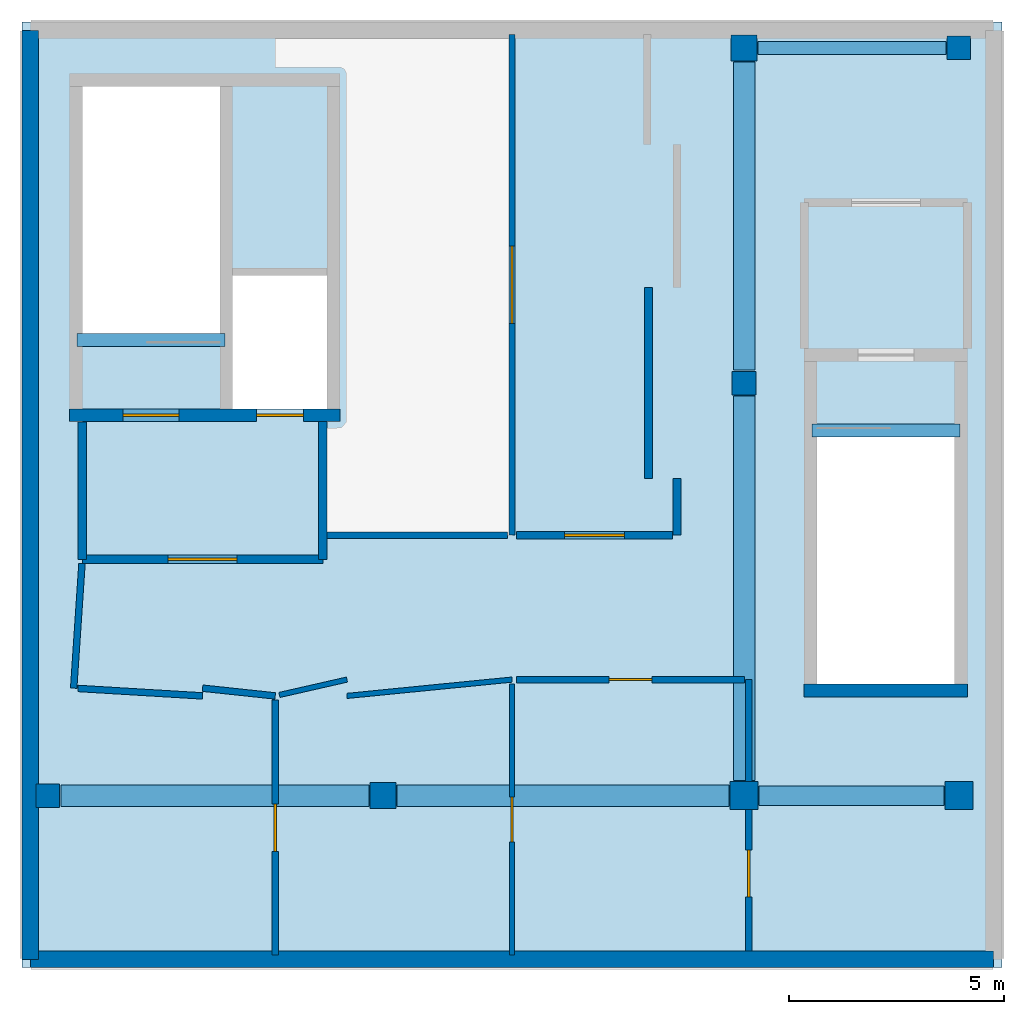
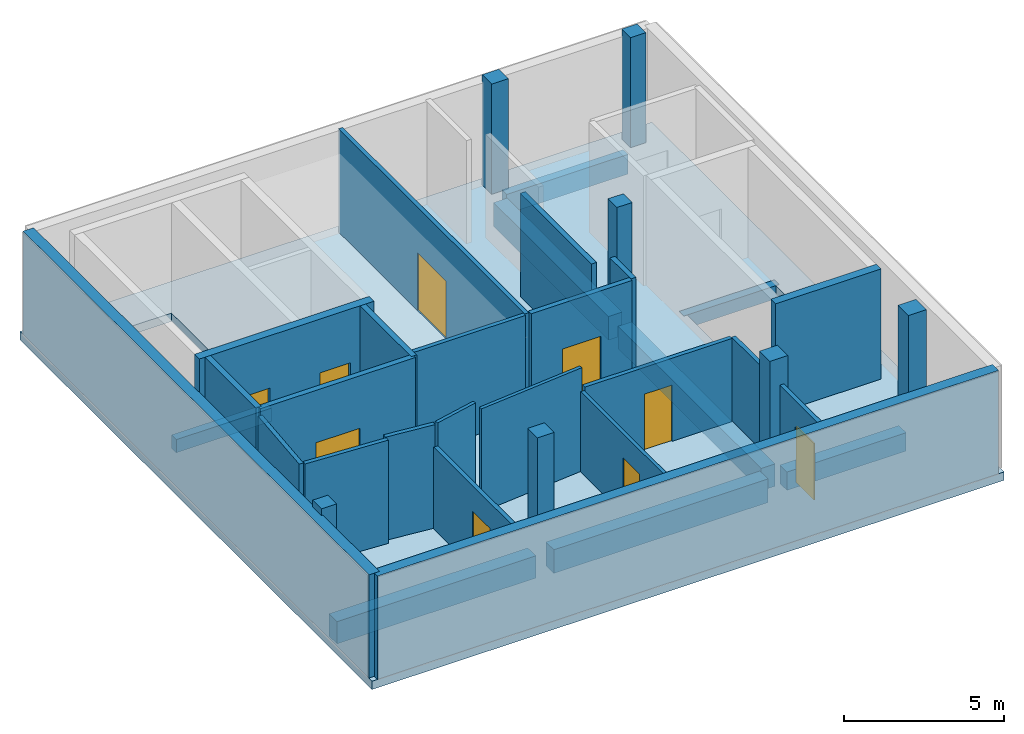
# One storey, part 1 of 3: 21 walls, 9 doors, 8 beams, 7 columns, 1 slab, 9 openings.
"""IFC4 building model written with IfcOpenShell, lengths in metres."""

from ifc_helpers import new_model, si_unit, direction, frame, frame_2d, origin, origin_2d, place, context, subcontext, project, spatial, polyline, rectangle, outline, extrude, material, layer, layer_set, material_profile, profile_set, type_object, element, fill, save


model = new_model("IFC4")

# Units and contexts
model_context = context("Model", 3, precision=1e-05, world=origin(), true_north=direction((0.0, 1.0)))
body_context = subcontext(model_context, "Body", "Model", "MODEL_VIEW")
ifc_project = project(units=[si_unit("LENGTHUNIT", "METRE"), si_unit("AREAUNIT", "SQUARE_METRE"), si_unit("VOLUMEUNIT", "CUBIC_METRE"), si_unit("PLANEANGLEUNIT", "RADIAN"), si_unit("MASSUNIT", "GRAM", prefix="KILO")], contexts=[model_context])

# Site, building, storey
site_placement = place(None, origin())
site = spatial("IfcSite", under=ifc_project, at=site_placement, CompositionType="ELEMENT")
building_placement = place(site_placement, origin())
building = spatial("IfcBuilding", under=site, at=building_placement, Name="Mzevani Central Library", CompositionType="ELEMENT")
storey_placement = place(building_placement, frame((0.0, 0.0, 22.5)))
storey = spatial("IfcBuildingStorey", under=building, at=storey_placement, Name="L05", CompositionType="ELEMENT", Elevation=22.5)

# Columns
ifc_material_1 = material(Name="Concrete C40/50", Category="concrete")
ifc_material_profile_1 = material_profile(ifc_material_1, rectangle(XDim=0.550048828125, YDim=0.550048828125, at=origin_2d()), Name="RC 550x550")
ifc_profile_set_1 = profile_set([ifc_material_profile_1], Name="Concrete C40/50")
column_type_1 = type_object("IfcColumnType", Name="Column RC 550x550", PredefinedType="COLUMN", material=ifc_profile_set_1)
for number, where, z_axis, x_axis, name in (
    (1, (13.0, 100.0, 0.0), (0.0, 0.0, 1.0), (1.0, 0.0, 0.0), "L05 V2 Column C-05 (72)"),
    (2, (29.199951171875, 109.60009765625, 0.0), (0.0, 0.0, 1.0), (1.0, 0.0, 0.0), "L05 V2 Column C-05 (81)"),
    (3, (34.199951171875, 117.39990234375, 0.0), (0.0, 0.0, 1.0), (1.0, 0.0, 0.0), "L05 V2 Column C-05 (87)"),
):
    element("IfcColumn", number, at=place(storey_placement, frame(where, z_axis=z_axis, x_axis=x_axis)), inside=storey, type_object=column_type_1, Name=name, PredefinedType="COLUMN", context=body_context, shape_type="SweptSolid", body=[
        extrude(rectangle(XDim=0.550048828125, YDim=0.550048828125, at=origin_2d()), origin(), (0.0, 0.0, 1.0), 4.199951171875),
    ])
ifc_material_profile_2 = material_profile(ifc_material_1, rectangle(XDim=0.60009765625, YDim=0.60009765625, at=origin_2d()), Name="RC 600x600")
ifc_profile_set_2 = profile_set([ifc_material_profile_2], Name="Concrete C40/50")
column_type_2 = type_object("IfcColumnType", Name="Column RC 600x600", PredefinedType="COLUMN", material=ifc_profile_set_2)
for number, where, z_axis, x_axis, name in (
    (4, (20.800048828125, 100.0, 0.0), (0.0, 0.0, 1.0), (1.0, 0.0, 0.0), "L05 V2 Column C-06 (76)"),
    (5, (29.199951171875, 117.39990234375, 0.0), (0.0, 0.0, 1.0), (1.0, 0.0, 0.0), "L05 V2 Column C-06 (82)"),
):
    element("IfcColumn", number, at=place(storey_placement, frame(where, z_axis=z_axis, x_axis=x_axis)), inside=storey, type_object=column_type_2, Name=name, PredefinedType="COLUMN", context=body_context, shape_type="SweptSolid", body=[
        extrude(rectangle(XDim=0.60009765625, YDim=0.60009765625, at=origin_2d()), origin(), (0.0, 0.0, 1.0), 4.199951171875),
    ])
ifc_material_profile_3 = material_profile(ifc_material_1, rectangle(XDim=0.64990234375, YDim=0.64990234375, at=origin_2d()), Name="RC 650x650")
ifc_profile_set_3 = profile_set([ifc_material_profile_3], Name="Concrete C40/50")
column_type_3 = type_object("IfcColumnType", Name="Column RC 650x650", PredefinedType="COLUMN", material=ifc_profile_set_3)
for number, where, z_axis, x_axis, name in (
    (6, (29.199951171875, 100.0, 0.0), (0.0, 0.0, 1.0), (1.0, 0.0, 0.0), "L05 V2 Column C-07 (80)"),
    (7, (34.199951171875, 100.0, 0.0), (0.0, 0.0, 1.0), (1.0, 0.0, 0.0), "L05 V2 Column C-07 (86)"),
):
    element("IfcColumn", number, at=place(storey_placement, frame(where, z_axis=z_axis, x_axis=x_axis)), inside=storey, type_object=column_type_3, Name=name, PredefinedType="COLUMN", context=body_context, shape_type="SweptSolid", body=[
        extrude(rectangle(XDim=0.64990234375, YDim=0.64990234375, at=origin_2d()), origin(), (0.0, 0.0, 1.0), 4.199951171875),
    ])

# Beams
ifc_material_2 = material(Name="Concrete C35/45", Category="concrete")
ifc_material_profile_4 = material_profile(ifc_material_2, rectangle(XDim=0.300048828125, YDim=0.5, at=origin_2d()), Name="RC B300x500")
ifc_profile_set_4 = profile_set([ifc_material_profile_4], Name="Concrete C35/45")
beam_type_1 = type_object("IfcBeamType", Name="Beam RC 300x500", PredefinedType="BEAM", material=ifc_profile_set_4)
beam_1_placement = place(storey_placement, frame((13.679931640625, 110.60009765625, -0.25), z_axis=(1.0, 0.0, 0.0), x_axis=(0.0, 1.0, 0.0)))
element("IfcBeam", 8, at=beam_1_placement, inside=storey, type_object=beam_type_1, Name="L05 Core C2A North-West Firefighting Core Stair Opening Trimmer Beam", PredefinedType="BEAM", context=body_context, shape_type="SweptSolid", body=[
    extrude(rectangle(XDim=0.300048828125, YDim=0.5, at=origin_2d()), origin(), (0.0, 0.0, 1.0), 3.440185546875),
])
beam_2_placement = place(storey_placement, frame((30.780029296875, 108.5, -0.25), z_axis=(1.0, 0.0, 0.0), x_axis=(0.0, 1.0, 0.0)))
element("IfcBeam", 9, at=beam_2_placement, inside=storey, type_object=beam_type_1, Name="L05 Core C2B Stacks East Escape Stair Stair Opening Trimmer Beam", PredefinedType="BEAM", context=body_context, shape_type="SweptSolid", body=[
    extrude(rectangle(XDim=0.300048828125, YDim=0.5, at=origin_2d()), origin(), (0.0, 0.0, 1.0), 3.43994140625),
])
ifc_material_3 = material(Name="Precast concrete C40/50", Category="concrete")
ifc_material_profile_5 = material_profile(ifc_material_3, rectangle(XDim=0.300048828125, YDim=0.75, at=origin_2d()), Name="RC SP300x750")
ifc_profile_set_5 = profile_set([ifc_material_profile_5], Name="Precast concrete C40/50")
beam_type_2 = type_object("IfcBeamType", Name="Edge Spandrel Beam RC 300x750", PredefinedType="SPANDREL", material=ifc_profile_set_5)
beam_3_placement = place(storey_placement, frame((29.52490234375, 117.39990234375, -0.695068359375), z_axis=(1.0, 0.0, 0.0), x_axis=(0.0, 1.0, 0.0)))
element("IfcBeam", 10, at=beam_3_placement, inside=storey, type_object=beam_type_2, Name="L05 V2 Girder SP-01 (414)", PredefinedType="SPANDREL", context=body_context, shape_type="SweptSolid", body=[
    extrude(rectangle(XDim=0.300048828125, YDim=0.75, at=origin_2d()), origin(), (0.0, 0.0, 1.0), 4.375),
])
ifc_material_profile_6 = material_profile(ifc_material_1, rectangle(XDim=0.449951171875, YDim=0.699951171875, at=origin_2d()), Name="RC B450x700")
ifc_profile_set_6 = profile_set([ifc_material_profile_6], Name="Concrete C40/50")
beam_type_3 = type_object("IfcBeamType", Name="Stack Girder RC 450x700", PredefinedType="BEAM", material=ifc_profile_set_6)
beam_4_placement = place(storey_placement, frame((29.550048828125, 100.0, -0.669921875), z_axis=(1.0, 0.0, 0.0), x_axis=(0.0, 1.0, 0.0)))
element("IfcBeam", 11, at=beam_4_placement, inside=storey, type_object=beam_type_3, Name="L05 V2 Girder BG-01 (413)", PredefinedType="BEAM", context=body_context, shape_type="SweptSolid", body=[
    extrude(rectangle(XDim=0.449951171875, YDim=0.699951171875, at=origin_2d()), origin(), (0.0, 0.0, 1.0), 4.300048828125),
])
ifc_material_profile_7 = material_profile(ifc_material_1, rectangle(XDim=0.5, YDim=0.85009765625, at=origin_2d()), Name="RC B500x850")
ifc_profile_set_7 = profile_set([ifc_material_profile_7], Name="Concrete C40/50")
beam_type_4 = type_object("IfcBeamType", Name="Stack Girder RC 500x850", PredefinedType="BEAM", material=ifc_profile_set_7)
beam_5_placement = place(storey_placement, frame((13.300048828125, 100.0, -0.7451171875), z_axis=(1.0, 0.0, 0.0), x_axis=(0.0, 1.0, 0.0)))
element("IfcBeam", 12, at=beam_5_placement, inside=storey, type_object=beam_type_4, Name="L05 V2 Girder BG-06 (411)", PredefinedType="BEAM", context=body_context, shape_type="SweptSolid", body=[
    extrude(rectangle(XDim=0.5, YDim=0.85009765625, at=origin_2d()), origin(), (0.0, 0.0, 1.0), 7.175048828125),
])
beam_6_placement = place(storey_placement, frame((29.199951171875, 100.35009765625, -0.7451171875), z_axis=(0.0, 1.0, 0.0), x_axis=(-1.0, 0.0, 0.0)))
element("IfcBeam", 13, at=beam_6_placement, inside=storey, type_object=beam_type_4, Name="L05 V2 Frame Beam BG-06 (418)", PredefinedType="BEAM", context=body_context, shape_type="SweptSolid", body=[
    extrude(rectangle(XDim=0.5, YDim=0.85009765625, at=origin_2d()), origin(), (0.0, 0.0, 1.0), 8.949951171875),
])
ifc_material_profile_8 = material_profile(ifc_material_1, rectangle(XDim=0.5, YDim=0.89990234375, at=origin_2d()), Name="RC B500x900")
ifc_profile_set_8 = profile_set([ifc_material_profile_8], Name="Concrete C40/50")
beam_type_5 = type_object("IfcBeamType", Name="Stack Girder RC 500x900", PredefinedType="BEAM", material=ifc_profile_set_8)
beam_7_placement = place(storey_placement, frame((21.125, 100.0, -0.77001953125), z_axis=(1.0, 0.0, 0.0), x_axis=(0.0, 1.0, 0.0)))
element("IfcBeam", 14, at=beam_7_placement, inside=storey, type_object=beam_type_5, Name="L05 V2 Girder BG-07 (412)", PredefinedType="BEAM", context=body_context, shape_type="SweptSolid", body=[
    extrude(rectangle(XDim=0.5, YDim=0.89990234375, at=origin_2d()), origin(), (0.0, 0.0, 1.0), 7.72509765625),
])
beam_8_placement = place(storey_placement, frame((29.199951171875, 109.89990234375, -0.77001953125), z_axis=(0.0, 1.0, 0.0), x_axis=(-1.0, 0.0, 0.0)))
element("IfcBeam", 15, at=beam_8_placement, inside=storey, type_object=beam_type_5, Name="L05 V2 Frame Beam BG-07 (419)", PredefinedType="BEAM", context=body_context, shape_type="SweptSolid", body=[
    extrude(rectangle(XDim=0.5, YDim=0.89990234375, at=origin_2d()), origin(), (0.0, 0.0, 1.0), 7.175048828125),
])

# Slab
ifc_layer_1 = layer(ifc_material_1, 0.320068359375, Name="Compact Stack Floor Slab 320")
ifc_layer_set_1 = layer_set([ifc_layer_1], Name="Concrete C40/50")
slab_type = type_object("IfcSlabType", Name="Compact Stack Floor Slab 320", PredefinedType="FLOOR", material=ifc_layer_set_1)
slab_placement = place(storey_placement, frame((0.0, 0.0, -0.320068359375)))
element("IfcSlab", 16, at=slab_placement, inside=storey, type_object=slab_type, Name="L05 V2 Structural Slab FS-04", PredefinedType="FLOOR", context=body_context, shape_type="SweptSolid", body=[
    extrude(outline(polyline([(35.199951171875, 96.0), (12.39990234375, 96.0), (12.39990234375, 118.0), (35.199951171875, 118.0), (35.199951171875, 96.0)]), holes=[polyline([(17.0, 110.60009765625), (17.0, 116.5), (13.800048828125, 116.5), (13.800048828125, 110.60009765625), (17.0, 110.60009765625)]), polyline([(17.300048828125, 109.0), (19.5, 109.0), (19.5, 112.10009765625), (17.300048828125, 112.10009765625), (17.300048828125, 109.0)]), polyline([(30.89990234375, 108.5), (30.89990234375, 102.60009765625), (34.10009765625, 102.60009765625), (34.10009765625, 108.5), (30.89990234375, 108.5)])]), origin(), (0.0, 0.0, 1.0), 0.320068359375),
])

# Wall
ifc_layer_2 = layer(ifc_material_2, 0.199951171875, Name="Compartment Wall 200")
ifc_layer_set_2 = layer_set([ifc_layer_2], Name="Concrete C35/45")
wall_type_1 = type_object("IfcWallType", Name="Compartment Wall 200", PredefinedType="STANDARD", material=ifc_layer_set_2)
wall_1_placement = place(storey_placement, frame((13.800048828125, 108.699951171875, 0.0), z_axis=(0.0, 0.0, 1.0), x_axis=(0.0, -1.0, 0.0)))
element("IfcWall", 17, at=wall_1_placement, inside=storey, type_object=wall_type_1, Name="L05 Firefighting Stair and Lift Lobby C2A Enclosure Wall 1", PredefinedType="STANDARD", context=body_context, shape_type="SweptSolid", body=[
    extrude(rectangle(XDim=3.199951171875, YDim=0.199951171875, at=frame_2d((1.60009765625, 0.0))), origin(), (0.0, 0.0, 1.0), 4.199951171875),
])

# Wall, opening, door
wall_2_placement = place(storey_placement, frame((13.800048828125, 105.5, 0.0), z_axis=(0.0, 0.0, 1.0), x_axis=(1.0, 0.0, 0.0)))
wall_2 = element("IfcWall", 18, at=wall_2_placement, inside=storey, type_object=wall_type_1, Name="L05 Firefighting Stair and Lift Lobby C2A Enclosure Wall 2", PredefinedType="STANDARD", context=body_context, shape_type="SweptSolid", body=[
    extrude(rectangle(XDim=5.599853515625, YDim=0.199951171875, at=frame_2d((2.7998046875, 0.0))), origin(), (0.0, 0.0, 1.0), 4.199951171875),
])
opening_1_placement = place(wall_2_placement, frame((2.0, 0.0, 0.0)))
opening_1 = element("IfcOpeningElement", 19, at=opening_1_placement, cuts=wall_2, Name="Opening FD-02", PredefinedType="OPENING", context=body_context, shape_type="SweptSolid", body=[
    extrude(rectangle(XDim=1.60009765625, YDim=2.199951171875, at=frame_2d((0.800048828125, 1.10009765625))), frame((0.0, 0.10986328125, 0.0), z_axis=(0.0, -1.0, 0.0), x_axis=(1.0, 0.0, 0.0)), (0.0, 0.0, 1.0), 0.219970703125),
])
ifc_material_4 = material(Name="Fire-rated steel door assembly", Category="steel")
door_type_1 = type_object("IfcDoorType", Name="Fire Lobby Double Door 1600x2200", OperationType="NOTDEFINED", PredefinedType="DOOR", material=ifc_material_4)
door_1_placement = place(opening_1_placement, origin())
door_1 = element("IfcDoor", 20, at=door_1_placement, inside=storey, type_object=door_type_1, Name="L05 Firefighting Stair and Lift Lobby C2A Smoke-Control Door", OperationType="DOUBLE_DOOR_SINGLE_SWING", OverallHeight=2.199951171875, OverallWidth=1.60009765625, PredefinedType="DOOR", context=body_context, shape_type="SweptSolid", body=[
    extrude(rectangle(XDim=1.60009765625, YDim=2.199951171875, at=frame_2d((0.800048828125, 1.10009765625))), frame((0.0, 0.02490234375, 0.0), z_axis=(0.0, -1.0, 0.0), x_axis=(1.0, 0.0, 0.0)), (0.0, 0.0, 1.0), 0.050048828125),
])
fill(opening_1, door_1)

# Wall
wall_3_placement = place(storey_placement, frame((19.39990234375, 105.5, 0.0), z_axis=(0.0, 0.0, 1.0), x_axis=(0.0, 1.0, 0.0)))
element("IfcWall", 21, at=wall_3_placement, inside=storey, type_object=wall_type_1, Name="L05 Firefighting Stair and Lift Lobby C2A Enclosure Wall 3", PredefinedType="STANDARD", context=body_context, shape_type="SweptSolid", body=[
    extrude(rectangle(XDim=3.199951171875, YDim=0.199951171875, at=frame_2d((1.60009765625, 0.0))), origin(), (0.0, 0.0, 1.0), 4.199951171875),
])

# Wall, openings, doors
ifc_layer_3 = layer(ifc_material_1, 0.300048828125, Name="Core Shear Wall 300")
ifc_layer_set_3 = layer_set([ifc_layer_3], Name="Concrete C40/50")
wall_type_2 = type_object("IfcWallType", Name="Core Shear Wall 300", PredefinedType="SHEAR", material=ifc_layer_set_3)
wall_4_placement = place(storey_placement, frame((19.800048828125, 108.85009765625, 0.0), z_axis=(0.0, 0.0, 1.0), x_axis=(-1.0, 0.0, 0.0)))
wall_4 = element("IfcWall", 22, at=wall_4_placement, inside=storey, type_object=wall_type_2, Name="L05 Core C2A North-West Firefighting Core Shear Wall (-y)", PredefinedType="SHEAR", context=body_context, shape_type="SweptSolid", body=[
    extrude(rectangle(XDim=6.300048828125, YDim=0.300048828125, at=frame_2d((3.14990234375, 0.0))), origin(), (0.0, 0.0, 1.0), 4.199951171875),
])
opening_2_placement = place(wall_4_placement, frame((3.75, 0.0, 0.0)))
opening_2 = element("IfcOpeningElement", 23, at=opening_2_placement, cuts=wall_4, Name="Opening FD-01", PredefinedType="OPENING", context=body_context, shape_type="SweptSolid", body=[
    extrude(rectangle(XDim=1.300048828125, YDim=2.199951171875, at=frame_2d((0.64990234375, 1.10009765625))), frame((0.0, 0.16015625, 0.0), z_axis=(0.0, -1.0, 0.0), x_axis=(1.0, 0.0, 0.0)), (0.0, 0.0, 1.0), 0.320068359375),
])
opening_3_placement = place(wall_4_placement, frame((0.85009765625, 0.0, 0.0)))
opening_3 = element("IfcOpeningElement", 24, at=opening_3_placement, cuts=wall_4, Name="Opening LD-02", PredefinedType="OPENING", context=body_context, shape_type="SweptSolid", body=[
    extrude(rectangle(XDim=1.10009765625, YDim=2.14990234375, at=frame_2d((0.550048828125, 1.074951171875))), frame((0.0, 0.16015625, 0.0), z_axis=(0.0, -1.0, 0.0), x_axis=(1.0, 0.0, 0.0)), (0.0, 0.0, 1.0), 0.320068359375),
])
door_type_2 = type_object("IfcDoorType", Name="Fire Stair Door 1300x2200", OperationType="NOTDEFINED", PredefinedType="DOOR", material=ifc_material_4)
door_2_placement = place(opening_2_placement, origin())
door_2 = element("IfcDoor", 25, at=door_2_placement, inside=storey, type_object=door_type_2, Name="L05 ST-03 Protected Exit Stair Door", OperationType="SINGLE_SWING_RIGHT", OverallHeight=2.199951171875, OverallWidth=1.300048828125, PredefinedType="DOOR", context=body_context, shape_type="SweptSolid", body=[
    extrude(rectangle(XDim=1.300048828125, YDim=2.199951171875, at=frame_2d((0.64990234375, 1.10009765625))), frame((0.0, 0.02490234375, 0.0), z_axis=(0.0, -1.0, 0.0), x_axis=(1.0, 0.0, 0.0)), (0.0, 0.0, 1.0), 0.050048828125),
])
fill(opening_2, door_2)
ifc_material_5 = material(Name="Brushed stainless steel door", Category="steel")
door_type_3 = type_object("IfcDoorType", Name="Firefighting Lift Landing Door 1100x2150", OperationType="NOTDEFINED", PredefinedType="DOOR", material=ifc_material_5)
door_3_placement = place(opening_3_placement, origin())
door_3 = element("IfcDoor", 26, at=door_3_placement, inside=storey, type_object=door_type_3, Name="L05 Lift LF-FF1 Sliding Landing Door", OperationType="SLIDING_TO_LEFT", OverallHeight=2.14990234375, OverallWidth=1.10009765625, PredefinedType="DOOR", context=body_context, shape_type="SweptSolid", body=[
    extrude(rectangle(XDim=1.10009765625, YDim=2.14990234375, at=frame_2d((0.550048828125, 1.074951171875))), frame((0.0, 0.02490234375, 0.0), z_axis=(0.0, -1.0, 0.0), x_axis=(1.0, 0.0, 0.0)), (0.0, 0.0, 1.0), 0.050048828125),
])
fill(opening_3, door_3)

# Walls
wall_5_placement = place(storey_placement, frame((34.39990234375, 102.449951171875, 0.0), z_axis=(0.0, 0.0, 1.0), x_axis=(-1.0, 0.0, 0.0)))
element("IfcWall", 27, at=wall_5_placement, inside=storey, type_object=wall_type_2, Name="L05 Core C2B Stacks East Escape Stair Shear Wall (-y)", PredefinedType="SHEAR", context=body_context, shape_type="SweptSolid", body=[
    extrude(rectangle(XDim=3.7998046875, YDim=0.300048828125, at=frame_2d((1.89990234375, 0.0))), origin(), (0.0, 0.0, 1.0), 4.199951171875),
])
ifc_layer_4 = layer(ifc_material_3, 0.3798828125, Name="Exterior Thermal Concrete Wall 380")
ifc_layer_set_4 = layer_set([ifc_layer_4], Name="Precast concrete C40/50")
wall_type_3 = type_object("IfcWallType", Name="Exterior Thermal Concrete Wall 380", PredefinedType="STANDARD", material=ifc_layer_set_4)
wall_6_placement = place(storey_placement, frame((35.010009765625, 96.18994140625, 0.0), z_axis=(0.0, 0.0, 1.0), x_axis=(-1.0, 0.0, 0.0)))
element("IfcWall", 28, at=wall_6_placement, inside=storey, type_object=wall_type_3, Name="L05 V2 Exterior Thermal Wall (36)", PredefinedType="STANDARD", context=body_context, shape_type="SweptSolid", body=[
    extrude(rectangle(XDim=22.419921875, YDim=0.3798828125, at=frame_2d((11.2099609375, 0.0))), origin(), (0.0, 0.0, 1.0), 3.93994140625),
])
wall_7_placement = place(storey_placement, frame((12.590087890625, 96.18994140625, 0.0), z_axis=(0.0, 0.0, 1.0), x_axis=(0.0, 1.0, 0.0)))
element("IfcWall", 29, at=wall_7_placement, inside=storey, type_object=wall_type_3, Name="L05 V2 Exterior Thermal Wall (37)", PredefinedType="STANDARD", context=body_context, shape_type="SweptSolid", body=[
    extrude(rectangle(XDim=21.6201171875, YDim=0.3798828125, at=frame_2d((10.81005859375, 0.0))), origin(), (0.0, 0.0, 1.0), 3.93994140625),
])
ifc_material_6 = material(Name="Fire-rated gypsum board", Category="gypsum")
ifc_layer_5 = layer(ifc_material_6, 0.1201171875, Name="Partition Acoustic 120")
ifc_layer_set_5 = layer_set([ifc_layer_5], Name="Fire-rated gypsum board")
wall_type_4 = type_object("IfcWallType", Name="Partition Acoustic 120", PredefinedType="PARTITIONING", material=ifc_layer_set_5)
wall_8_placement = place(storey_placement, frame((19.9599609375, 102.320068359375, 0.0), z_axis=(0.0, 0.0, 1.0), x_axis=(0.995142491343, 0.098445019806, 0.0)))
element("IfcWall", 30, at=wall_8_placement, inside=storey, type_object=wall_type_4, Name="L05 V2 Partition IW-02 (618)", PredefinedType="PARTITIONING", context=body_context, shape_type="SweptSolid", body=[
    extrude(rectangle(XDim=3.85888671875, YDim=0.1201171875, at=frame_2d((1.929443359375, 0.0))), origin(), (0.0, 0.0, 1.0), 3.93994140625),
])

# Wall, opening, door
wall_9_placement = place(storey_placement, frame((23.800048828125, 102.60009765625, 0.0), z_axis=(0.0, 0.0, 1.0), x_axis=(0.0, -1.0, 0.0)))
wall_9 = element("IfcWall", 31, at=wall_9_placement, inside=storey, type_object=wall_type_4, Name="L05 V2 Partition IW-02 (619)", PredefinedType="PARTITIONING", context=body_context, shape_type="SweptSolid", body=[
    extrude(rectangle(XDim=6.31005859375, YDim=0.1201171875, at=frame_2d((3.155029296875, 0.0))), origin(), (0.0, 0.0, 1.0), 3.070068359375),
])
opening_4_placement = place(wall_9_placement, frame((2.6298828125, 0.0, 0.0)))
opening_4 = element("IfcOpeningElement", 32, at=opening_4_placement, cuts=wall_9, Name="Opening ID-05", PredefinedType="OPENING", context=body_context, shape_type="SweptSolid", body=[
    extrude(rectangle(XDim=1.050048828125, YDim=2.14990234375, at=frame_2d((0.52490234375, 1.074951171875))), frame((0.0, 0.070068359375, 0.0), z_axis=(0.0, -1.0, 0.0), x_axis=(1.0, 0.0, 0.0)), (0.0, 0.0, 1.0), 0.14013671875),
])
ifc_material_7 = material(Name="Fire-rated solid oak leaf")
door_type_4 = type_object("IfcDoorType", Name="Conservation Lab Door 1050x2150", OperationType="NOTDEFINED", PredefinedType="DOOR", material=ifc_material_7)
door_4_placement = place(opening_4_placement, origin())
door_4 = element("IfcDoor", 33, at=door_4_placement, inside=storey, type_object=door_type_4, Name="L05 Chief Conservator Studio Door", OperationType="SINGLE_SWING_LEFT", OverallHeight=2.14990234375, OverallWidth=1.050048828125, PredefinedType="DOOR", context=body_context, shape_type="SweptSolid", body=[
    extrude(rectangle(XDim=1.050048828125, YDim=2.14990234375, at=frame_2d((0.52490234375, 1.074951171875))), frame((0.0, 0.02490234375, 0.0), z_axis=(0.0, -1.0, 0.0), x_axis=(1.0, 0.0, 0.0)), (0.0, 0.0, 1.0), 0.050048828125),
])
fill(opening_4, door_4)

# Walls
wall_10_placement = place(storey_placement, frame((18.387451171875, 102.34228515625, 0.0), z_axis=(0.0, 0.0, 1.0), x_axis=(0.975095664059, 0.221784683721, 0.0)))
element("IfcWall", 34, at=wall_10_placement, inside=storey, type_object=wall_type_4, Name="L05 V2 Partition IW-02 (620)", PredefinedType="PARTITIONING", context=body_context, shape_type="SweptSolid", body=[
    extrude(rectangle(XDim=1.61279296875, YDim=0.1201171875, at=frame_2d((0.806396484375, 0.0))), origin(), (0.0, 0.0, 1.0), 3.93994140625),
])
ifc_layer_6 = layer(ifc_material_6, 0.14990234375, Name="Partition Study 150")
ifc_layer_set_6 = layer_set([ifc_layer_6], Name="Fire-rated gypsum board")
wall_type_5 = type_object("IfcWallType", Name="Partition Study 150", PredefinedType="PARTITIONING", material=ifc_layer_set_6)
wall_11_placement = place(storey_placement, frame((13.793212890625, 105.400146484375, 0.0), z_axis=(0.0, 0.0, 1.0), x_axis=(-0.066440960793, -0.997790358106, 0.0)))
element("IfcWall", 35, at=wall_11_placement, inside=storey, type_object=wall_type_5, Name="L05 V2 Partition IW-03 (612)", PredefinedType="PARTITIONING", context=body_context, shape_type="SweptSolid", body=[
    extrude(rectangle(XDim=2.906494140625, YDim=0.14990234375, at=frame_2d((1.453125, 0.0))), origin(), (0.0, 0.0, 1.0), 3.93994140625),
])
wall_12_placement = place(storey_placement, frame((13.69970703125, 102.493896484375, 0.0), z_axis=(0.0, 0.0, 1.0), x_axis=(0.998208861918, -0.059825312263, 0.0)))
element("IfcWall", 36, at=wall_12_placement, inside=storey, type_object=wall_type_5, Name="L05 V2 Partition IW-03 (613)", PredefinedType="PARTITIONING", context=body_context, shape_type="SweptSolid", body=[
    extrude(rectangle(XDim=2.905517578125, YDim=0.14990234375, at=frame_2d((1.45263671875, 0.0))), origin(), (0.0, 0.0, 1.0), 3.93994140625),
])
wall_13_placement = place(storey_placement, frame((16.60009765625, 102.5, 0.0), z_axis=(0.0, 0.0, 1.0), x_axis=(0.994379585248, -0.105873700423, 0.0)))
element("IfcWall", 37, at=wall_13_placement, inside=storey, type_object=wall_type_5, Name="L05 V2 Partition IW-03 (614)", PredefinedType="PARTITIONING", context=body_context, shape_type="SweptSolid", body=[
    extrude(rectangle(XDim=1.699462890625, YDim=0.14990234375, at=frame_2d((0.849609375, 0.0))), origin(), (0.0, 0.0, 1.0), 3.93994140625),
])

# Wall, opening, door
wall_14_placement = place(storey_placement, frame((18.2900390625, 102.219970703125, 0.0), z_axis=(0.0, 0.0, 1.0), x_axis=(0.0, -1.0, 0.0)))
wall_14 = element("IfcWall", 38, at=wall_14_placement, inside=storey, type_object=wall_type_5, Name="L05 V2 Partition IW-03 (615)", PredefinedType="PARTITIONING", context=body_context, shape_type="SweptSolid", body=[
    extrude(rectangle(XDim=5.929931640625, YDim=0.14990234375, at=frame_2d((2.96484375, 0.0))), origin(), (0.0, 0.0, 1.0), 3.1201171875),
])
opening_5_placement = place(wall_14_placement, frame((2.4150390625, 0.0, 0.0)))
opening_5 = element("IfcOpeningElement", 39, at=opening_5_placement, cuts=wall_14, Name="Opening FD-04", PredefinedType="OPENING", context=body_context, shape_type="SweptSolid", body=[
    extrude(rectangle(XDim=1.10009765625, YDim=2.14990234375, at=frame_2d((0.550048828125, 1.074951171875))), frame((0.0, 0.0849609375, 0.0), z_axis=(0.0, -1.0, 0.0), x_axis=(1.0, 0.0, 0.0)), (0.0, 0.0, 1.0), 0.169921875),
])
door_type_5 = type_object("IfcDoorType", Name="Fire Compartment Door 1100x2150", OperationType="NOTDEFINED", PredefinedType="DOOR", material=ifc_material_4)
door_5_placement = place(opening_5_placement, origin())
door_5 = element("IfcDoor", 40, at=door_5_placement, inside=storey, type_object=door_type_5, Name="L05 Georgian National Press Archive Stacks Door", OperationType="SINGLE_SWING_RIGHT", OverallHeight=2.14990234375, OverallWidth=1.10009765625, PredefinedType="DOOR", context=body_context, shape_type="SweptSolid", body=[
    extrude(rectangle(XDim=1.10009765625, YDim=2.14990234375, at=frame_2d((0.550048828125, 1.074951171875))), frame((0.0, 0.02490234375, 0.0), z_axis=(0.0, -1.0, 0.0), x_axis=(1.0, 0.0, 0.0)), (0.0, 0.0, 1.0), 0.050048828125),
])
fill(opening_5, door_5)

wall_15_placement = place(storey_placement, frame((23.800048828125, 117.7099609375, 0.0), z_axis=(0.0, 0.0, 1.0), x_axis=(0.0, -1.0, 0.0)))
wall_15 = element("IfcWall", 41, at=wall_15_placement, inside=storey, type_object=wall_type_5, Name="L05 V2 Partition IW-03 (616)", PredefinedType="PARTITIONING", context=body_context, shape_type="SweptSolid", body=[
    extrude(rectangle(XDim=11.64990234375, YDim=0.14990234375, at=frame_2d((5.824951171875, 0.0))), origin(), (0.0, 0.0, 1.0), 3.93994140625),
])
opening_6_placement = place(wall_15_placement, frame((4.925048828125, 0.0, 0.0)))
opening_6 = element("IfcOpeningElement", 42, at=opening_6_placement, cuts=wall_15, Name="Opening FD-06", PredefinedType="OPENING", context=body_context, shape_type="SweptSolid", body=[
    extrude(rectangle(XDim=1.800048828125, YDim=2.199951171875, at=frame_2d((0.89990234375, 1.10009765625))), frame((0.0, 0.0849609375, 0.0), z_axis=(0.0, -1.0, 0.0), x_axis=(1.0, 0.0, 0.0)), (0.0, 0.0, 1.0), 0.169921875),
])
door_type_6 = type_object("IfcDoorType", Name="Fire Corridor Double Door 1800x2200", OperationType="NOTDEFINED", PredefinedType="DOOR", material=ifc_material_4)
door_6_placement = place(opening_6_placement, origin())
door_6 = element("IfcDoor", 43, at=door_6_placement, inside=storey, type_object=door_type_6, Name="L05 Rare Periodicals Reading Room Door", OperationType="DOUBLE_DOOR_SINGLE_SWING", OverallHeight=2.199951171875, OverallWidth=1.800048828125, PredefinedType="DOOR", context=body_context, shape_type="SweptSolid", body=[
    extrude(rectangle(XDim=1.800048828125, YDim=2.199951171875, at=frame_2d((0.89990234375, 1.10009765625))), frame((0.0, 0.02490234375, 0.0), z_axis=(0.0, -1.0, 0.0), x_axis=(1.0, 0.0, 0.0)), (0.0, 0.0, 1.0), 0.050048828125),
])
fill(opening_6, door_6)

# Wall
wall_16_placement = place(storey_placement, frame((23.699951171875, 106.06005859375, 0.0), z_axis=(0.0, 0.0, 1.0), x_axis=(-1.0, 0.0, 0.0)))
element("IfcWall", 44, at=wall_16_placement, inside=storey, type_object=wall_type_5, Name="L05 V2 Partition IW-03 (617)", PredefinedType="PARTITIONING", context=body_context, shape_type="SweptSolid", body=[
    extrude(rectangle(XDim=4.199951171875, YDim=0.14990234375, at=frame_2d((2.10009765625, 0.0))), origin(), (0.0, 0.0, 1.0), 3.93994140625),
])

# Wall, opening, door
wall_17_placement = place(storey_placement, frame((29.31005859375, 102.699951171875, 0.0), z_axis=(0.0, 0.0, 1.0), x_axis=(0.0, -1.0, 0.0)))
wall_17 = element("IfcWall", 45, at=wall_17_placement, inside=storey, type_object=wall_type_5, Name="L05 V2 Partition IW-03 (626)", PredefinedType="PARTITIONING", context=body_context, shape_type="SweptSolid", body=[
    extrude(rectangle(XDim=6.320068359375, YDim=0.14990234375, at=frame_2d((3.16015625, 0.0))), origin(), (0.0, 0.0, 1.0), 3.169921875),
])
opening_7_placement = place(wall_17_placement, frame((3.9599609375, 0.0, 0.0)))
opening_7 = element("IfcOpeningElement", 46, at=opening_7_placement, cuts=wall_17, Name="Opening FD-04", PredefinedType="OPENING", context=body_context, shape_type="SweptSolid", body=[
    extrude(rectangle(XDim=1.10009765625, YDim=2.14990234375, at=frame_2d((0.550048828125, 1.074951171875))), frame((0.0, 0.0849609375, 0.0), z_axis=(0.0, -1.0, 0.0), x_axis=(1.0, 0.0, 0.0)), (0.0, 0.0, 1.0), 0.169921875),
])
door_7_placement = place(opening_7_placement, origin())
door_7 = element("IfcDoor", 47, at=door_7_placement, inside=storey, type_object=door_type_5, Name="L05 Georgian National Press Archive Stacks 2 Door", OperationType="SINGLE_SWING_RIGHT", OverallHeight=2.14990234375, OverallWidth=1.10009765625, PredefinedType="DOOR", context=body_context, shape_type="SweptSolid", body=[
    extrude(rectangle(XDim=1.10009765625, YDim=2.14990234375, at=frame_2d((0.550048828125, 1.074951171875))), frame((0.0, 0.02490234375, 0.0), z_axis=(0.0, -1.0, 0.0), x_axis=(1.0, 0.0, 0.0)), (0.0, 0.0, 1.0), 0.050048828125),
])
fill(opening_7, door_7)

wall_18_placement = place(storey_placement, frame((23.89990234375, 102.699951171875, 0.0), z_axis=(0.0, 0.0, 1.0), x_axis=(1.0, 0.0, 0.0)))
wall_18 = element("IfcWall", 48, at=wall_18_placement, inside=storey, type_object=wall_type_5, Name="L05 V2 Partition IW-03 (627)", PredefinedType="PARTITIONING", context=body_context, shape_type="SweptSolid", body=[
    extrude(rectangle(XDim=5.31005859375, YDim=0.14990234375, at=frame_2d((2.655029296875, 0.0))), origin(), (0.0, 0.0, 1.0), 3.169921875),
])
opening_8_placement = place(wall_18_placement, frame((2.155029296875, 0.0, 0.0)))
opening_8 = element("IfcOpeningElement", 49, at=opening_8_placement, cuts=wall_18, Name="Opening ID-04", PredefinedType="OPENING", context=body_context, shape_type="SweptSolid", body=[
    extrude(rectangle(XDim=1.0, YDim=2.14990234375, at=frame_2d((0.5, 1.074951171875))), frame((0.0, 0.0849609375, 0.0), z_axis=(0.0, -1.0, 0.0), x_axis=(1.0, 0.0, 0.0)), (0.0, 0.0, 1.0), 0.169921875),
])
door_type_7 = type_object("IfcDoorType", Name="Staff Office Door 1000x2150", OperationType="NOTDEFINED", PredefinedType="DOOR", material=ifc_material_7)
door_8_placement = place(opening_8_placement, origin())
door_8 = element("IfcDoor", 50, at=door_8_placement, inside=storey, type_object=door_type_7, Name="L05 Rare Periodicals Reading Room 3 Door", OperationType="SINGLE_SWING_LEFT", OverallHeight=2.14990234375, OverallWidth=1.0, PredefinedType="DOOR", context=body_context, shape_type="SweptSolid", body=[
    extrude(rectangle(XDim=1.0, YDim=2.14990234375, at=frame_2d((0.5, 1.074951171875))), frame((0.0, 0.02490234375, 0.0), z_axis=(0.0, -1.0, 0.0), x_axis=(1.0, 0.0, 0.0)), (0.0, 0.0, 1.0), 0.050048828125),
])
fill(opening_8, door_8)

# Walls
ifc_material_8 = material(Name="Concrete blockwork masonry", Category="masonry")
ifc_layer_7 = layer(ifc_material_8, 0.179931640625, Name="Shaft Enclosure Wall 180")
ifc_layer_set_7 = layer_set([ifc_layer_7], Name="Concrete blockwork masonry")
wall_type_6 = type_object("IfcWallType", Name="Shaft Enclosure Wall 180", PredefinedType="PARTITIONING", material=ifc_layer_set_7)
wall_19_placement = place(storey_placement, frame((26.97509765625, 111.824951171875, 0.0), z_axis=(0.0, 0.0, 1.0), x_axis=(0.0, -1.0, 0.0)))
element("IfcWall", 51, at=wall_19_placement, inside=storey, type_object=wall_type_6, Name="L05 V2 Partition IW-04 (623)", PredefinedType="PARTITIONING", context=body_context, shape_type="SweptSolid", body=[
    extrude(rectangle(XDim=4.449951171875, YDim=0.179931640625, at=frame_2d((2.22509765625, 0.0))), origin(), (0.0, 0.0, 1.0), 3.93994140625),
])
wall_20_placement = place(storey_placement, frame((27.639892578125, 107.375, 0.0), z_axis=(0.0, 0.0, 1.0), x_axis=(0.0, -1.0, 0.0)))
element("IfcWall", 52, at=wall_20_placement, inside=storey, type_object=wall_type_6, Name="L05 V2 Partition IW-04 (624)", PredefinedType="PARTITIONING", context=body_context, shape_type="SweptSolid", body=[
    extrude(rectangle(XDim=1.31494140625, YDim=0.179931640625, at=frame_2d((0.657470703125, 0.0))), origin(), (0.0, 0.0, 1.0), 3.93994140625),
])

# Wall, opening, door
wall_21_placement = place(storey_placement, frame((27.5400390625, 106.06005859375, 0.0), z_axis=(0.0, 0.0, 1.0), x_axis=(-1.0, 0.0, 0.0)))
wall_21 = element("IfcWall", 53, at=wall_21_placement, inside=storey, type_object=wall_type_6, Name="L05 V2 Partition IW-04 (625)", PredefinedType="PARTITIONING", context=body_context, shape_type="SweptSolid", body=[
    extrude(rectangle(XDim=3.64013671875, YDim=0.179931640625, at=frame_2d((1.820068359375, 0.0))), origin(), (0.0, 0.0, 1.0), 3.93994140625),
])
opening_9_placement = place(wall_21_placement, frame((1.1201171875, 0.0, 0.0)))
opening_9 = element("IfcOpeningElement", 54, at=opening_9_placement, cuts=wall_21, Name="Opening ID-10", PredefinedType="OPENING", context=body_context, shape_type="SweptSolid", body=[
    extrude(rectangle(XDim=1.39990234375, YDim=2.199951171875, at=frame_2d((0.699951171875, 1.10009765625))), frame((0.0, 0.10009765625, 0.0), z_axis=(0.0, -1.0, 0.0), x_axis=(1.0, 0.0, 0.0)), (0.0, 0.0, 1.0), 0.199951171875),
])
door_type_8 = type_object("IfcDoorType", Name="Plant Room Double Door 1400x2200", OperationType="NOTDEFINED", PredefinedType="DOOR", material=ifc_material_4)
door_9_placement = place(opening_9_placement, origin())
door_9 = element("IfcDoor", 55, at=door_9_placement, inside=storey, type_object=door_type_8, Name="L05 Upper Archive Environmental Plant Room Door", OperationType="DOUBLE_DOOR_SINGLE_SWING", OverallHeight=2.199951171875, OverallWidth=1.39990234375, PredefinedType="DOOR", context=body_context, shape_type="SweptSolid", body=[
    extrude(rectangle(XDim=1.39990234375, YDim=2.199951171875, at=frame_2d((0.699951171875, 1.10009765625))), frame((0.0, 0.02490234375, 0.0), z_axis=(0.0, -1.0, 0.0), x_axis=(1.0, 0.0, 0.0)), (0.0, 0.0, 1.0), 0.050048828125),
])
fill(opening_9, door_9)

save(model, "model.ifc")
